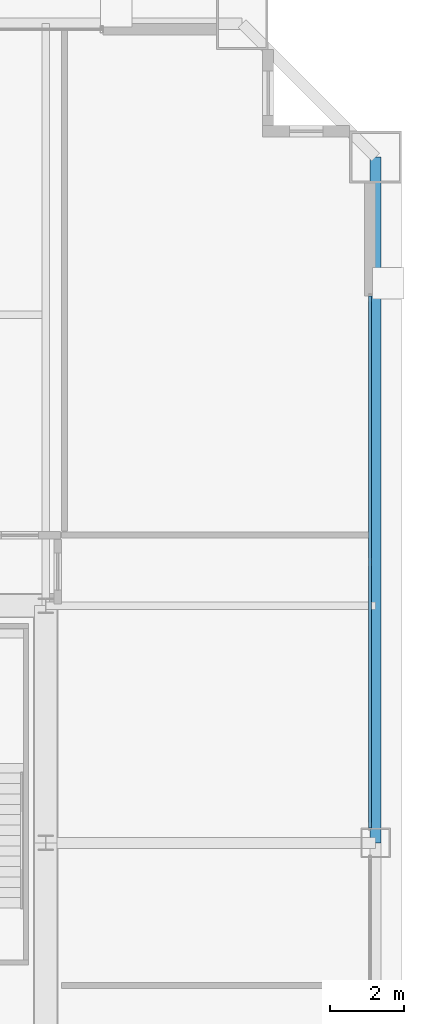
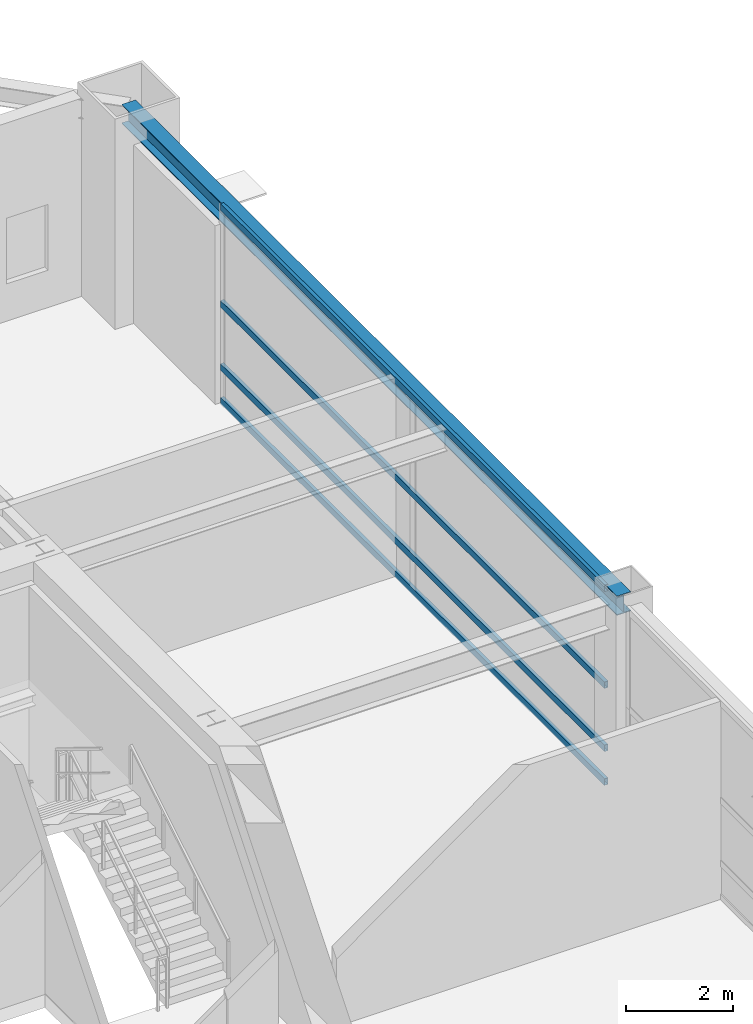
# One storey, part 20 of 34: 4 members, 1 beam, 1 element without a shape of its own.
"""IFC4 building model written with IfcOpenShell, lengths in metres."""

from ifc_helpers import new_model, si_unit, direction, frame, origin, origin_2d, place, context, subcontext, project, spatial, hollow_rectangle, i_section, extrude, source, transform, mapped, material, layer, layer_set, material_profile, profile_set, type_object, element, aggregate, save


model = new_model("IFC4")

# Units and contexts
model_context = context("Model", 3, precision=1e-05, world=origin(), true_north=direction((0.0, 1.0)))
body_context = subcontext(model_context, "Body", "Model", "MODEL_VIEW")
ifc_project = project(units=[si_unit("LENGTHUNIT", "METRE"), si_unit("AREAUNIT", "SQUARE_METRE"), si_unit("VOLUMEUNIT", "CUBIC_METRE"), si_unit("PLANEANGLEUNIT", "RADIAN"), si_unit("MASSUNIT", "GRAM", prefix="KILO"), si_unit("THERMODYNAMICTEMPERATUREUNIT", "KELVIN"), si_unit("POWERUNIT", "WATT")], contexts=[model_context])

# Site, building, storey
site_placement = place(None, origin())
site = spatial("IfcSite", under=ifc_project, at=site_placement, CompositionType="ELEMENT")
building_placement = place(site_placement, origin())
building = spatial("IfcBuilding", under=site, at=building_placement, Name="Yuzanri Waterfront Tower", CompositionType="ELEMENT")
storey_placement = place(building_placement, frame((0.0, 0.0, 171.60009765625)))
storey = spatial("IfcBuildingStorey", under=building, at=storey_placement, Name="L45", CompositionType="ELEMENT", Elevation=171.60009765625)

# Beam
ifc_material_1 = material(Name="Steel Q355B", Category="steel")
ifc_material_profile_1 = material_profile(ifc_material_1, i_section(OverallWidth=0.300048828125, OverallDepth=0.43994140625, WebThickness=0.010986328125, FlangeThickness=0.01806640625, at=origin_2d()), Name="HM 440x300x11x18")
ifc_profile_set_1 = profile_set([ifc_material_profile_1], Name="Steel Q355B")
beam_type = type_object("IfcBeamType", Name="Perimeter Spandrel Q355B HM 440x300", PredefinedType="SPANDREL", material=ifc_profile_set_1)
shared_shape_1 = source(origin(), body_context, "Body", "SweptSolid", [
    extrude(i_section(OverallWidth=0.300048828125, OverallDepth=0.43994140625, WebThickness=0.010986328125, FlangeThickness=0.01806640625, at=origin_2d()), origin(), (0.0, 0.0, 1.0), 18.5),
])
beam_placement = place(storey_placement, frame((59.10009765625, 25.800048828125, 4.2998046875), z_axis=(0.0, 1.0, 0.0), x_axis=(-1.0, 0.0, 0.0)))
element("IfcBeam", 1, at=beam_placement, inside=storey, type_object=beam_type, Name="L45 Perimeter Spandrel E2-E3", PredefinedType="SPANDREL", context=body_context, shape_type="MappedRepresentation", body=[
    mapped(shared_shape_1, transform((0.0, 0.0, 0.0), scale=1.0)),
])

# Curtain wall, members
ifc_material_2 = material(Name="Anodized Architectural Bronze", Category="metal")
ifc_layer = layer(ifc_material_2, 0.159912109375)
ifc_layer_set = layer_set([ifc_layer], Name="Anodized Architectural Bronze")
curtain_wall_type = type_object("IfcCurtainWallType", Name="Anodized Bronze Sky-Lobby Triple-Glazed Feature Curtain Wall 7500", PredefinedType="NOTDEFINED", material=ifc_layer_set)
curtain_wall_placement = place(storey_placement, origin())
curtain_wall = element("IfcCurtainWall", 2, at=curtain_wall_placement, inside=storey, type_object=curtain_wall_type, Name="L45 Curtain Wall CW-L45-ER", PredefinedType="NOTDEFINED")
ifc_material_3 = material(Name="Anodized Architectural Bronze", Category="metal")
ifc_material_profile_2 = material_profile(ifc_material_3, hollow_rectangle(XDim=0.074951171875, YDim=0.14990234375, WallThickness=0.00390625, at=origin_2d()), Name="CWT 75x150")
ifc_profile_set_2 = profile_set([ifc_material_profile_2], Name="Anodized Architectural Bronze")
member_type = type_object("IfcMemberType", Name="Anodized Bronze Primary Curtain-Wall Transom 75x150", PredefinedType="USERDEFINED", material=ifc_profile_set_2)
shared_shape_2 = source(origin(), body_context, "Body", "SweptSolid", [
    extrude(hollow_rectangle(XDim=0.074951171875, YDim=0.14990234375, WallThickness=0.00390625, at=origin_2d()), origin(), (0.0, 0.0, 1.0), 14.35009765625),
])
member_1_placement = place(storey_placement, frame((58.949951171875, 26.199951171875, 0.0498046875), z_axis=(0.0, 1.0, 0.0), x_axis=(-1.0, 0.0, 0.0)))
member_1 = element("IfcMember", 3, at=member_1_placement, type_object=member_type, Name="CW-L45-ER Transom 1", ObjectType="TRANSOM", PredefinedType="USERDEFINED", context=body_context, shape_type="MappedRepresentation", body=[
    mapped(shared_shape_2, transform((0.0, 0.0, 0.0), scale=1.0)),
])
member_2_placement = place(storey_placement, frame((58.949951171875, 26.199951171875, 0.81982421875), z_axis=(0.0, 1.0, 0.0), x_axis=(-1.0, 0.0, 0.0)))
member_2 = element("IfcMember", 4, at=member_2_placement, type_object=member_type, Name="CW-L45-ER Transom 2", ObjectType="TRANSOM", PredefinedType="USERDEFINED", context=body_context, shape_type="MappedRepresentation", body=[
    mapped(shared_shape_2, transform((0.0, 0.0, 0.0), scale=1.0)),
])
member_3_placement = place(storey_placement, frame((58.949951171875, 26.199951171875, 2.260009765625), z_axis=(0.0, 1.0, 0.0), x_axis=(-1.0, 0.0, 0.0)))
member_3 = element("IfcMember", 5, at=member_3_placement, type_object=member_type, Name="CW-L45-ER Transom 3", ObjectType="TRANSOM", PredefinedType="USERDEFINED", context=body_context, shape_type="MappedRepresentation", body=[
    mapped(shared_shape_2, transform((0.0, 0.0, 0.0), scale=1.0)),
])
member_4_placement = place(storey_placement, frame((58.949951171875, 26.199951171875, 4.469970703125), z_axis=(0.0, 1.0, 0.0), x_axis=(-1.0, 0.0, 0.0)))
member_4 = element("IfcMember", 6, at=member_4_placement, type_object=member_type, Name="CW-L45-ER Transom 4", ObjectType="TRANSOM", PredefinedType="USERDEFINED", context=body_context, shape_type="MappedRepresentation", body=[
    mapped(shared_shape_2, transform((0.0, 0.0, 0.0), scale=1.0)),
])
aggregate(curtain_wall, [member_1, member_2, member_3, member_4])

save(model, "model.ifc")
